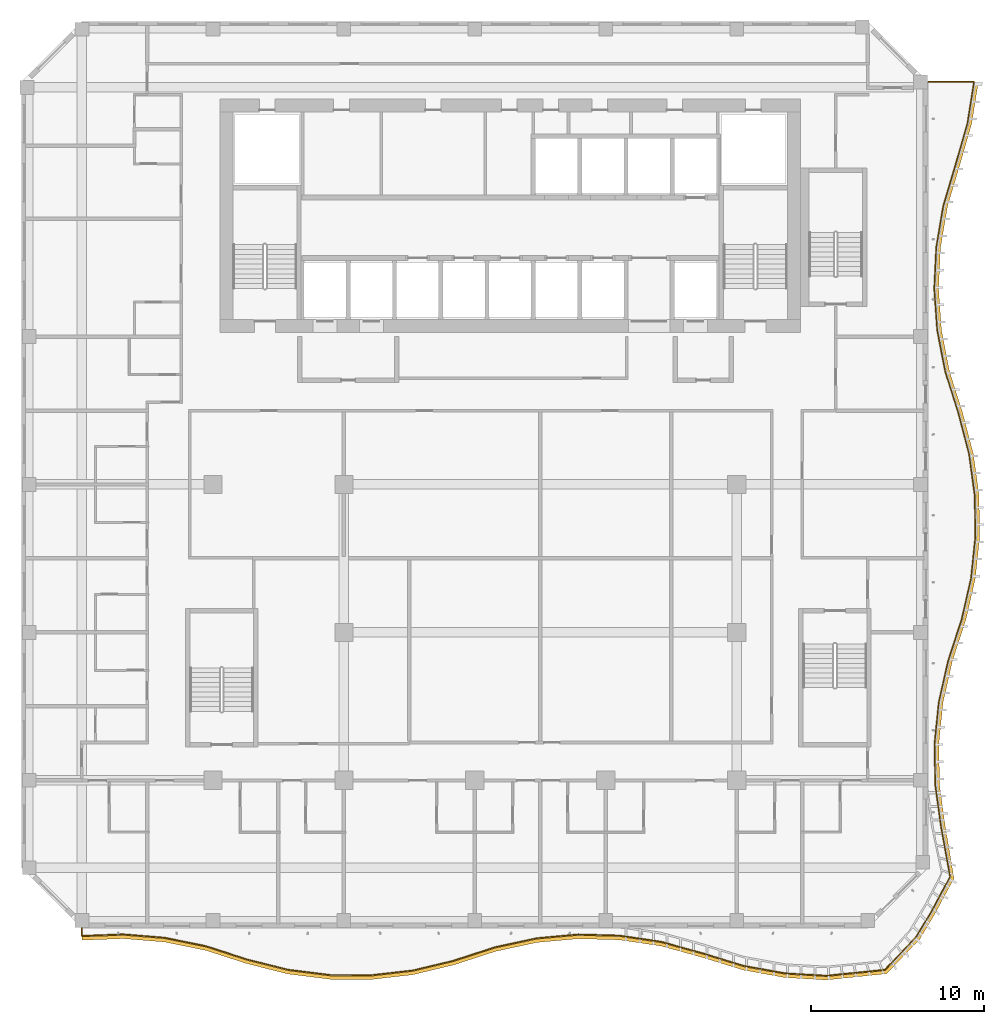
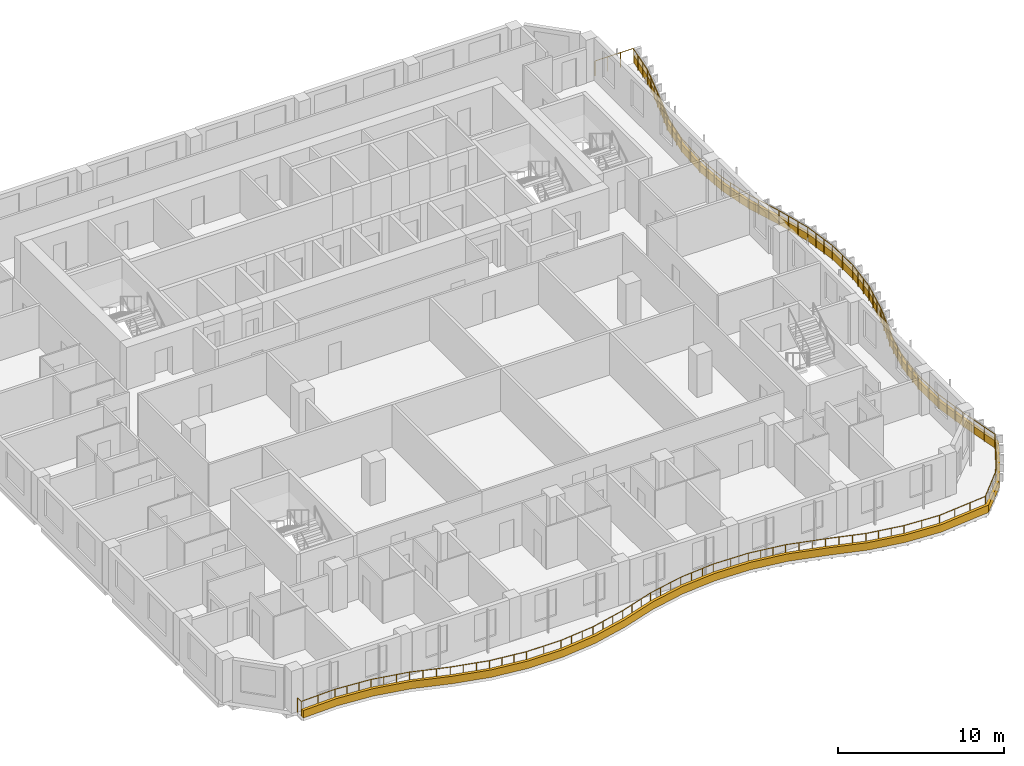
# One storey, part 16 of 21: 1 railing, 1 shading device.
"""IFC4 building model written with IfcOpenShell, lengths in metres."""

from ifc_helpers import new_model, si_unit, direction, frame, origin, origin_2d, place, context, subcontext, project, spatial, polyline, circle, outline, extrude, source, transform, mapped, material, layer, layer_set, type_object, element, save


model = new_model("IFC4")

# Units and contexts
model_context = context("Model", 3, precision=1e-05, world=origin(), true_north=direction((0.0, 1.0)))
body_context = subcontext(model_context, "Body", "Model", "MODEL_VIEW")
ifc_project = project(units=[si_unit("LENGTHUNIT", "METRE"), si_unit("AREAUNIT", "SQUARE_METRE"), si_unit("VOLUMEUNIT", "CUBIC_METRE"), si_unit("PLANEANGLEUNIT", "RADIAN"), si_unit("MASSUNIT", "GRAM", prefix="KILO")], contexts=[model_context])

# Site, building, storey
site_placement = place(None, origin())
site = spatial("IfcSite", under=ifc_project, at=site_placement, CompositionType="ELEMENT")
building_placement = place(site_placement, origin())
building = spatial("IfcBuilding", under=site, at=building_placement, Name="Kilnfold Tower and Market Hall", CompositionType="ELEMENT")
storey_placement = place(building_placement, frame((0.0, 0.0, 182.10009765625)))
storey = spatial("IfcBuildingStorey", under=building, at=storey_placement, Name="L43", CompositionType="ELEMENT", Elevation=182.10009765625)

# Railing
ifc_material_1 = material(Name="Stainless steel and laminated glass", Category="steel")
railing_type = type_object("IfcRailingType", Name="GUARD 1100", PredefinedType="GUARDRAIL", material=ifc_material_1)
railing_placement = place(storey_placement, frame((-23.75, -26.25, 0.0)))
element("IfcRailing", 1, at=railing_placement, inside=storey, type_object=railing_type, Name="Guard balcony L43", PredefinedType="GUARDRAIL", context=body_context, shape_type="SweptSolid", body=[
    extrude(circle(Radius=0.02490234375, at=origin_2d()), frame((0.0, 0.0, 1.0751953125), z_axis=(0.0, -1.0, 0.0), x_axis=(1.0, 0.0, 0.0)), (0.0, 0.0, 1.0), 0.4453125),
    extrude(circle(Radius=0.02490234375, at=origin_2d()), frame((0.0, -0.4453125, 1.0751953125), z_axis=(0.999285499224, 0.037795383853, 0.0), x_axis=(-0.037795383853, 0.999285499224, 0.0)), (0.0, 0.0, 1.0), 2.396484375),
    extrude(circle(Radius=0.02490234375, at=origin_2d()), frame((2.394775390625, -0.354736328125, 1.0751953125), z_axis=(0.996698894038, -0.081186911646, 0.0), x_axis=(0.081186911646, 0.996698894038, 0.0)), (0.0, 0.0, 1.0), 2.402587890625),
    extrude(circle(Radius=0.02490234375, at=origin_2d()), frame((4.78955078125, -0.5498046875, 1.0751953125), z_axis=(0.979777288655, -0.200091140821, 0.0), x_axis=(0.200091140821, 0.979777288655, 0.0)), (0.0, 0.0, 1.0), 2.44384765625),
    extrude(circle(Radius=0.02490234375, at=origin_2d()), frame((7.18408203125, -1.038818359375, 1.0751953125), z_axis=(0.951884070417, -0.306458343804, 0.0), x_axis=(0.306458343804, 0.951884070417, 0.0)), (0.0, 0.0, 1.0), 2.515869140625),
    extrude(circle(Radius=0.02490234375, at=origin_2d()), frame((9.578857421875, -1.809814453125, 1.0751953125), z_axis=(0.970078474346, -0.24279158472, 0.0), x_axis=(0.24279158472, 0.970078474346, 0.0)), (0.0, 0.0, 1.0), 2.46875),
    extrude(circle(Radius=0.02490234375, at=origin_2d()), frame((11.9736328125, -2.4091796875, 1.0751953125), z_axis=(0.992291877345, -0.123922678127, 0.0), x_axis=(0.123922678127, 0.992291877345, 0.0)), (0.0, 0.0, 1.0), 2.413330078125),
    extrude(circle(Radius=0.02490234375, at=origin_2d()), frame((14.368408203125, -2.708251953125, 1.0751953125), z_axis=(0.999987523161, -0.004995350049, 0.0), x_axis=(0.004995350049, 0.999987523161, 0.0)), (0.0, 0.0, 1.0), 2.394775390625),
    extrude(circle(Radius=0.02490234375, at=origin_2d()), frame((16.76318359375, -2.72021484375, 1.0751953125), z_axis=(0.993475745503, 0.114043601737, 0.0), x_axis=(-0.114043601737, 0.993475745503, 0.0)), (0.0, 0.0, 1.0), 2.410400390625),
    extrude(circle(Radius=0.02490234375, at=origin_2d()), frame((19.157958984375, -2.4453125, 1.0751953125), z_axis=(0.972475433643, 0.233005431185, 0.0), x_axis=(-0.233005431185, 0.972475433643, 0.0)), (0.0, 0.0, 1.0), 2.46240234375),
    extrude(circle(Radius=0.02490234375, at=origin_2d()), frame((21.552490234375, -1.87158203125, 1.0751953125), z_axis=(0.951041192838, 0.309064151149, 0.0), x_axis=(-0.309064151149, 0.951041192838, 0.0)), (0.0, 0.0, 1.0), 2.518310546875),
    extrude(circle(Radius=0.02490234375, at=origin_2d()), frame((23.947509765625, -1.09326171875, 1.0751953125), z_axis=(0.977694334529, 0.210032826555, 0.0), x_axis=(-0.210032826555, 0.977694334529, 0.0)), (0.0, 0.0, 1.0), 2.44921875),
    extrude(circle(Radius=0.02490234375, at=origin_2d()), frame((26.342041015625, -0.578857421875, 1.0751953125), z_axis=(0.995854001632, 0.090965968545, 0.0), x_axis=(-0.090965968545, 0.995854001632, 0.0)), (0.0, 0.0, 1.0), 2.40478515625),
    extrude(circle(Radius=0.02490234375, at=origin_2d()), frame((28.73681640625, -0.360107421875, 1.0751953125), z_axis=(0.999610087106, -0.027922638788, 0.0), x_axis=(0.027922638788, 0.999610087106, 0.0)), (0.0, 0.0, 1.0), 2.395751953125),
    extrude(circle(Radius=0.02490234375, at=origin_2d()), frame((31.131591796875, -0.427001953125, 1.0751953125), z_axis=(0.989162274279, -0.146826411597, 0.0), x_axis=(0.146826411597, 0.989162274279, 0.0)), (0.0, 0.0, 1.0), 2.4208984375),
    extrude(circle(Radius=0.02490234375, at=origin_2d()), frame((33.5263671875, -0.782470703125, 1.0751953125), z_axis=(0.964041254031, -0.265752630329, 0.0), x_axis=(0.265752630329, 0.964041254031, 0.0)), (0.0, 0.0, 1.0), 2.484130859375),
    extrude(circle(Radius=0.02490234375, at=origin_2d()), frame((35.921142578125, -1.442626953125, 1.0751953125), z_axis=(0.95578322222, -0.294072154619, 0.0), x_axis=(0.294072154619, 0.95578322222, 0.0)), (0.0, 0.0, 1.0), 2.505615234375),
    extrude(circle(Radius=0.02490234375, at=origin_2d()), frame((38.31591796875, -2.179443359375, 1.0751953125), z_axis=(0.984191021013, -0.177110231657, 0.0), x_axis=(0.177110231657, 0.984191021013, 0.0)), (0.0, 0.0, 1.0), 2.43310546875),
    extrude(circle(Radius=0.02490234375, at=origin_2d()), frame((40.71044921875, -2.6103515625, 1.0751953125), z_axis=(0.998304074766, -0.058214897621, 0.0), x_axis=(0.058214897621, 0.998304074766, 0.0)), (0.0, 0.0, 1.0), 2.39892578125),
    extrude(circle(Radius=0.02490234375, at=origin_2d()), frame((43.105224609375, -2.75, 1.0751953125), z_axis=(0.994895073816, 0.100914776402, 0.0), x_axis=(-0.100914776402, 0.994895073816, 0.0)), (0.0, 0.0, 1.0), 3.40869140625),
    extrude(circle(Radius=0.02490234375, at=origin_2d()), frame((46.49658203125, -2.406005859375, 1.0751953125), z_axis=(0.687903209609, 0.725802434696, 0.0), x_axis=(-0.725802434696, 0.687903209609, 0.0)), (0.0, 0.0, 1.0), 2.647705078125),
    extrude(circle(Radius=0.02490234375, at=origin_2d()), frame((48.31787109375, -0.484375, 1.0751953125), z_axis=(0.514179076421, 0.857682853606, 0.0), x_axis=(-0.857682853606, 0.514179076421, 0.0)), (0.0, 0.0, 1.0), 1.70068359375),
    extrude(circle(Radius=0.02490234375, at=origin_2d()), frame((49.1923828125, 0.974365234375, 1.0751953125), z_axis=(0.473080286495, 0.88101932018, 0.0), x_axis=(-0.88101932018, 0.473080286495, 0.0)), (0.0, 0.0, 1.0), 2.271240234375),
    extrude(circle(Radius=0.02490234375, at=origin_2d()), frame((50.266845703125, 2.975341796875, 1.0751953125), z_axis=(-0.177914965773, 0.98404586527, 0.0), x_axis=(-0.98404586527, -0.177914965773, 0.0)), (0.0, 0.0, 1.0), 2.966796875),
    extrude(circle(Radius=0.02490234375, at=origin_2d()), frame((49.739013671875, 5.894775390625, 1.0751953125), z_axis=(-0.136343479857, 0.990661625128, 0.0), x_axis=(-0.990661625128, -0.136343479857, 0.0)), (0.0, 0.0, 1.0), 2.417236328125),
    extrude(circle(Radius=0.02490234375, at=origin_2d()), frame((49.409423828125, 8.28955078125, 1.0751953125), z_axis=(-0.017330186539, 0.99984982104, 0.0), x_axis=(-0.99984982104, -0.017330186539, 0.0)), (0.0, 0.0, 1.0), 2.394775390625),
    extrude(circle(Radius=0.02490234375, at=origin_2d()), frame((49.367919921875, 10.68408203125, 1.0751953125), z_axis=(0.101521881914, 0.994833306385, 0.0), x_axis=(-0.994833306385, 0.101521881914, 0.0)), (0.0, 0.0, 1.0), 2.4072265625),
    extrude(circle(Radius=0.02490234375, at=origin_2d()), frame((49.6123046875, 13.078857421875, 1.0751953125), z_axis=(0.220456200603, 0.975396874926, 0.0), x_axis=(-0.975396874926, 0.220456200603, 0.0)), (0.0, 0.0, 1.0), 2.455078125),
    extrude(circle(Radius=0.02490234375, at=origin_2d()), frame((50.153564453125, 15.4736328125, 1.0751953125), z_axis=(0.310231980147, 0.950660885118, 0.0), x_axis=(-0.950660885118, 0.310231980147, 0.0)), (0.0, 0.0, 1.0), 2.51904296875),
    extrude(circle(Radius=0.02490234375, at=origin_2d()), frame((50.93505859375, 17.868408203125, 1.0751953125), z_axis=(0.222441554451, 0.974946026636, 0.0), x_axis=(-0.974946026636, 0.222441554451, 0.0)), (0.0, 0.0, 1.0), 2.456298828125),
    extrude(circle(Radius=0.02490234375, at=origin_2d()), frame((51.4814453125, 20.26318359375, 1.0751953125), z_axis=(0.103428446803, 0.994636896758, 0.0), x_axis=(-0.994636896758, 0.103428446803, 0.0)), (0.0, 0.0, 1.0), 2.40771484375),
    extrude(circle(Radius=0.02490234375, at=origin_2d()), frame((51.73046875, 22.657958984375, 1.0751953125), z_axis=(-0.015393771191, 0.999881508884, 0.0), x_axis=(-0.999881508884, -0.015393771191, 0.0)), (0.0, 0.0, 1.0), 2.394775390625),
    extrude(circle(Radius=0.02490234375, at=origin_2d()), frame((51.693603515625, 25.052490234375, 1.0751953125), z_axis=(-0.134446048726, 0.9909209151, 0.0), x_axis=(-0.9909209151, -0.134446048726, 0.0)), (0.0, 0.0, 1.0), 2.4169921875),
    extrude(circle(Radius=0.02490234375, at=origin_2d()), frame((51.36865234375, 27.447509765625, 1.0751953125), z_axis=(-0.253381367765, 0.967366467513, 0.0), x_axis=(-0.967366467513, -0.253381367765, 0.0)), (0.0, 0.0, 1.0), 2.475341796875),
    extrude(circle(Radius=0.02490234375, at=origin_2d()), frame((50.741455078125, 29.842041015625, 1.0751953125), z_axis=(-0.301875510226, 0.953347353448, 0.0), x_axis=(-0.953347353448, -0.301875510226, 0.0)), (0.0, 0.0, 1.0), 2.511962890625),
    extrude(circle(Radius=0.02490234375, at=origin_2d()), frame((49.983154296875, 32.23681640625, 1.0751953125), z_axis=(-0.189586154087, 0.981864089464, 0.0), x_axis=(-0.981864089464, -0.189586154087, 0.0)), (0.0, 0.0, 1.0), 2.43896484375),
    extrude(circle(Radius=0.02490234375, at=origin_2d()), frame((49.520751953125, 34.631591796875, 1.0751953125), z_axis=(-0.070574930945, 0.997506480742, 0.0), x_axis=(-0.997506480742, -0.070574930945, 0.0)), (0.0, 0.0, 1.0), 2.40087890625),
    extrude(circle(Radius=0.02490234375, at=origin_2d()), frame((49.351318359375, 37.0263671875, 1.0751953125), z_axis=(0.048266647613, 0.998834486153, 0.0), x_axis=(-0.998834486153, 0.048266647613, 0.0)), (0.0, 0.0, 1.0), 2.3974609375),
    extrude(circle(Radius=0.02490234375, at=origin_2d()), frame((49.467041015625, 39.421142578125, 1.0751953125), z_axis=(0.167250644967, 0.985914408941, 0.0), x_axis=(-0.985914408941, 0.167250644967, 0.0)), (0.0, 0.0, 1.0), 2.428955078125),
    extrude(circle(Radius=0.02490234375, at=origin_2d()), frame((49.873291015625, 41.81591796875, 1.0751953125), z_axis=(0.285967241733, 0.958239394231, 0.0), x_axis=(-0.958239394231, 0.285967241733, 0.0)), (0.0, 0.0, 1.0), 2.498779296875),
    extrude(circle(Radius=0.02490234375, at=origin_2d()), frame((50.587890625, 44.21044921875, 1.0751953125), z_axis=(0.275665835202, 0.961253529149, 0.0), x_axis=(-0.961253529149, 0.275665835202, 0.0)), (0.0, 0.0, 1.0), 2.4912109375),
    extrude(circle(Radius=0.02490234375, at=origin_2d()), frame((51.274658203125, 46.605224609375, 1.0751953125), z_axis=(0.156769103124, 0.987635281015, 0.0), x_axis=(-0.987635281015, 0.156769103124, 0.0)), (0.0, 0.0, 1.0), 2.4248046875),
    extrude(circle(Radius=0.02490234375, at=origin_2d()), frame((51.65478515625, 49.0, 1.0751953125), z_axis=(-1.0, 0.0, 0.0), x_axis=(0.0, -1.0, 0.0)), (0.0, 0.0, 1.0), 2.65478515625),
    extrude(circle(Radius=0.02490234375, at=origin_2d()), origin(), (0.0, 0.0, 1.0), 1.050048828125),
    extrude(circle(Radius=0.02490234375, at=origin_2d()), frame((0.0, -0.4453125, 0.0)), (0.0, 0.0, 1.0), 1.050048828125),
    extrude(circle(Radius=0.02490234375, at=origin_2d()), frame((1.197265625, -0.39990234375, 0.0)), (0.0, 0.0, 1.0), 1.050048828125),
    extrude(circle(Radius=0.02490234375, at=origin_2d()), frame((2.394775390625, -0.354736328125, 0.0)), (0.0, 0.0, 1.0), 1.050048828125),
    extrude(circle(Radius=0.02490234375, at=origin_2d()), frame((3.193115234375, -0.419677734375, 0.0)), (0.0, 0.0, 1.0), 1.050048828125),
    extrude(circle(Radius=0.02490234375, at=origin_2d()), frame((3.9912109375, -0.48486328125, 0.0)), (0.0, 0.0, 1.0), 1.050048828125),
    extrude(circle(Radius=0.02490234375, at=origin_2d()), frame((4.78955078125, -0.5498046875, 0.0)), (0.0, 0.0, 1.0), 1.050048828125),
    extrude(circle(Radius=0.02490234375, at=origin_2d()), frame((5.587646484375, -0.712890625, 0.0)), (0.0, 0.0, 1.0), 1.050048828125),
    extrude(circle(Radius=0.02490234375, at=origin_2d()), frame((6.385986328125, -0.875732421875, 0.0)), (0.0, 0.0, 1.0), 1.050048828125),
    extrude(circle(Radius=0.02490234375, at=origin_2d()), frame((7.18408203125, -1.038818359375, 0.0)), (0.0, 0.0, 1.0), 1.050048828125),
    extrude(circle(Radius=0.02490234375, at=origin_2d()), frame((7.982421875, -1.2958984375, 0.0)), (0.0, 0.0, 1.0), 1.050048828125),
    extrude(circle(Radius=0.02490234375, at=origin_2d()), frame((8.780517578125, -1.552734375, 0.0)), (0.0, 0.0, 1.0), 1.050048828125),
    extrude(circle(Radius=0.02490234375, at=origin_2d()), frame((9.578857421875, -1.809814453125, 0.0)), (0.0, 0.0, 1.0), 1.050048828125),
    extrude(circle(Radius=0.02490234375, at=origin_2d()), frame((10.377197265625, -2.009521484375, 0.0)), (0.0, 0.0, 1.0), 1.050048828125),
    extrude(circle(Radius=0.02490234375, at=origin_2d()), frame((11.17529296875, -2.20947265625, 0.0)), (0.0, 0.0, 1.0), 1.050048828125),
    extrude(circle(Radius=0.02490234375, at=origin_2d()), frame((11.9736328125, -2.4091796875, 0.0)), (0.0, 0.0, 1.0), 1.050048828125),
    extrude(circle(Radius=0.02490234375, at=origin_2d()), frame((12.77197265625, -2.5087890625, 0.0)), (0.0, 0.0, 1.0), 1.050048828125),
    extrude(circle(Radius=0.02490234375, at=origin_2d()), frame((13.570068359375, -2.608642578125, 0.0)), (0.0, 0.0, 1.0), 1.050048828125),
    extrude(circle(Radius=0.02490234375, at=origin_2d()), frame((14.368408203125, -2.708251953125, 0.0)), (0.0, 0.0, 1.0), 1.050048828125),
    extrude(circle(Radius=0.02490234375, at=origin_2d()), frame((15.56591796875, -2.71435546875, 0.0)), (0.0, 0.0, 1.0), 1.050048828125),
    extrude(circle(Radius=0.02490234375, at=origin_2d()), frame((16.76318359375, -2.72021484375, 0.0)), (0.0, 0.0, 1.0), 1.050048828125),
    extrude(circle(Radius=0.02490234375, at=origin_2d()), frame((17.5615234375, -2.628662109375, 0.0)), (0.0, 0.0, 1.0), 1.050048828125),
    extrude(circle(Radius=0.02490234375, at=origin_2d()), frame((18.359619140625, -2.536865234375, 0.0)), (0.0, 0.0, 1.0), 1.050048828125),
    extrude(circle(Radius=0.02490234375, at=origin_2d()), frame((19.157958984375, -2.4453125, 0.0)), (0.0, 0.0, 1.0), 1.050048828125),
    extrude(circle(Radius=0.02490234375, at=origin_2d()), frame((19.9560546875, -2.254150390625, 0.0)), (0.0, 0.0, 1.0), 1.050048828125),
    extrude(circle(Radius=0.02490234375, at=origin_2d()), frame((20.75439453125, -2.062744140625, 0.0)), (0.0, 0.0, 1.0), 1.050048828125),
    extrude(circle(Radius=0.02490234375, at=origin_2d()), frame((21.552490234375, -1.87158203125, 0.0)), (0.0, 0.0, 1.0), 1.050048828125),
    extrude(circle(Radius=0.02490234375, at=origin_2d()), frame((22.350830078125, -1.612060546875, 0.0)), (0.0, 0.0, 1.0), 1.050048828125),
    extrude(circle(Radius=0.02490234375, at=origin_2d()), frame((23.149169921875, -1.352783203125, 0.0)), (0.0, 0.0, 1.0), 1.050048828125),
    extrude(circle(Radius=0.02490234375, at=origin_2d()), frame((23.947509765625, -1.09326171875, 0.0)), (0.0, 0.0, 1.0), 1.050048828125),
    extrude(circle(Radius=0.02490234375, at=origin_2d()), frame((24.74560546875, -0.921875, 0.0)), (0.0, 0.0, 1.0), 1.050048828125),
    extrude(circle(Radius=0.02490234375, at=origin_2d()), frame((25.5439453125, -0.750244140625, 0.0)), (0.0, 0.0, 1.0), 1.050048828125),
    extrude(circle(Radius=0.02490234375, at=origin_2d()), frame((26.342041015625, -0.578857421875, 0.0)), (0.0, 0.0, 1.0), 1.050048828125),
    extrude(circle(Radius=0.02490234375, at=origin_2d()), frame((27.140380859375, -0.505859375, 0.0)), (0.0, 0.0, 1.0), 1.050048828125),
    extrude(circle(Radius=0.02490234375, at=origin_2d()), frame((27.9384765625, -0.43310546875, 0.0)), (0.0, 0.0, 1.0), 1.050048828125),
    extrude(circle(Radius=0.02490234375, at=origin_2d()), frame((28.73681640625, -0.360107421875, 0.0)), (0.0, 0.0, 1.0), 1.050048828125),
    extrude(circle(Radius=0.02490234375, at=origin_2d()), frame((29.93408203125, -0.3935546875, 0.0)), (0.0, 0.0, 1.0), 1.050048828125),
    extrude(circle(Radius=0.02490234375, at=origin_2d()), frame((31.131591796875, -0.427001953125, 0.0)), (0.0, 0.0, 1.0), 1.050048828125),
    extrude(circle(Radius=0.02490234375, at=origin_2d()), frame((31.929931640625, -0.54541015625, 0.0)), (0.0, 0.0, 1.0), 1.050048828125),
    extrude(circle(Radius=0.02490234375, at=origin_2d()), frame((32.72802734375, -0.6640625, 0.0)), (0.0, 0.0, 1.0), 1.050048828125),
    extrude(circle(Radius=0.02490234375, at=origin_2d()), frame((33.5263671875, -0.782470703125, 0.0)), (0.0, 0.0, 1.0), 1.050048828125),
    extrude(circle(Radius=0.02490234375, at=origin_2d()), frame((34.32470703125, -1.00244140625, 0.0)), (0.0, 0.0, 1.0), 1.050048828125),
    extrude(circle(Radius=0.02490234375, at=origin_2d()), frame((35.122802734375, -1.22265625, 0.0)), (0.0, 0.0, 1.0), 1.050048828125),
    extrude(circle(Radius=0.02490234375, at=origin_2d()), frame((35.921142578125, -1.442626953125, 0.0)), (0.0, 0.0, 1.0), 1.050048828125),
    extrude(circle(Radius=0.02490234375, at=origin_2d()), frame((36.719482421875, -1.688232421875, 0.0)), (0.0, 0.0, 1.0), 1.050048828125),
    extrude(circle(Radius=0.02490234375, at=origin_2d()), frame((37.517578125, -1.933837890625, 0.0)), (0.0, 0.0, 1.0), 1.050048828125),
    extrude(circle(Radius=0.02490234375, at=origin_2d()), frame((38.31591796875, -2.179443359375, 0.0)), (0.0, 0.0, 1.0), 1.050048828125),
    extrude(circle(Radius=0.02490234375, at=origin_2d()), frame((39.114013671875, -2.322998046875, 0.0)), (0.0, 0.0, 1.0), 1.050048828125),
    extrude(circle(Radius=0.02490234375, at=origin_2d()), frame((39.912353515625, -2.466796875, 0.0)), (0.0, 0.0, 1.0), 1.050048828125),
    extrude(circle(Radius=0.02490234375, at=origin_2d()), frame((40.71044921875, -2.6103515625, 0.0)), (0.0, 0.0, 1.0), 1.050048828125),
    extrude(circle(Radius=0.02490234375, at=origin_2d()), frame((41.90771484375, -2.68017578125, 0.0)), (0.0, 0.0, 1.0), 1.050048828125),
    extrude(circle(Radius=0.02490234375, at=origin_2d()), frame((43.105224609375, -2.75, 0.0)), (0.0, 0.0, 1.0), 1.050048828125),
    extrude(circle(Radius=0.02490234375, at=origin_2d()), frame((44.235595703125, -2.63525390625, 0.0)), (0.0, 0.0, 1.0), 1.050048828125),
    extrude(circle(Radius=0.02490234375, at=origin_2d()), frame((45.3662109375, -2.520751953125, 0.0)), (0.0, 0.0, 1.0), 1.050048828125),
    extrude(circle(Radius=0.02490234375, at=origin_2d()), frame((46.49658203125, -2.406005859375, 0.0)), (0.0, 0.0, 1.0), 1.050048828125),
    extrude(circle(Radius=0.02490234375, at=origin_2d()), frame((47.103759765625, -1.765380859375, 0.0)), (0.0, 0.0, 1.0), 1.050048828125),
    extrude(circle(Radius=0.02490234375, at=origin_2d()), frame((47.710693359375, -1.125, 0.0)), (0.0, 0.0, 1.0), 1.050048828125),
    extrude(circle(Radius=0.02490234375, at=origin_2d()), frame((48.31787109375, -0.484375, 0.0)), (0.0, 0.0, 1.0), 1.050048828125),
    extrude(circle(Radius=0.02490234375, at=origin_2d()), frame((48.755126953125, 0.2451171875, 0.0)), (0.0, 0.0, 1.0), 1.050048828125),
    extrude(circle(Radius=0.02490234375, at=origin_2d()), frame((49.1923828125, 0.974365234375, 0.0)), (0.0, 0.0, 1.0), 1.050048828125),
    extrude(circle(Radius=0.02490234375, at=origin_2d()), frame((49.7294921875, 1.974853515625, 0.0)), (0.0, 0.0, 1.0), 1.050048828125),
    extrude(circle(Radius=0.02490234375, at=origin_2d()), frame((50.266845703125, 2.975341796875, 0.0)), (0.0, 0.0, 1.0), 1.050048828125),
    extrude(circle(Radius=0.02490234375, at=origin_2d()), frame((50.0908203125, 3.948486328125, 0.0)), (0.0, 0.0, 1.0), 1.050048828125),
    extrude(circle(Radius=0.02490234375, at=origin_2d()), frame((49.9150390625, 4.921630859375, 0.0)), (0.0, 0.0, 1.0), 1.050048828125),
    extrude(circle(Radius=0.02490234375, at=origin_2d()), frame((49.739013671875, 5.894775390625, 0.0)), (0.0, 0.0, 1.0), 1.050048828125),
    extrude(circle(Radius=0.02490234375, at=origin_2d()), frame((49.629150390625, 6.693115234375, 0.0)), (0.0, 0.0, 1.0), 1.050048828125),
    extrude(circle(Radius=0.02490234375, at=origin_2d()), frame((49.519287109375, 7.4912109375, 0.0)), (0.0, 0.0, 1.0), 1.050048828125),
    extrude(circle(Radius=0.02490234375, at=origin_2d()), frame((49.409423828125, 8.28955078125, 0.0)), (0.0, 0.0, 1.0), 1.050048828125),
    extrude(circle(Radius=0.02490234375, at=origin_2d()), frame((49.388671875, 9.48681640625, 0.0)), (0.0, 0.0, 1.0), 1.050048828125),
    extrude(circle(Radius=0.02490234375, at=origin_2d()), frame((49.367919921875, 10.68408203125, 0.0)), (0.0, 0.0, 1.0), 1.050048828125),
    extrude(circle(Radius=0.02490234375, at=origin_2d()), frame((49.449462890625, 11.482421875, 0.0)), (0.0, 0.0, 1.0), 1.050048828125),
    extrude(circle(Radius=0.02490234375, at=origin_2d()), frame((49.53076171875, 12.280517578125, 0.0)), (0.0, 0.0, 1.0), 1.050048828125),
    extrude(circle(Radius=0.02490234375, at=origin_2d()), frame((49.6123046875, 13.078857421875, 0.0)), (0.0, 0.0, 1.0), 1.050048828125),
    extrude(circle(Radius=0.02490234375, at=origin_2d()), frame((49.792724609375, 13.877197265625, 0.0)), (0.0, 0.0, 1.0), 1.050048828125),
    extrude(circle(Radius=0.02490234375, at=origin_2d()), frame((49.97314453125, 14.67529296875, 0.0)), (0.0, 0.0, 1.0), 1.050048828125),
    extrude(circle(Radius=0.02490234375, at=origin_2d()), frame((50.153564453125, 15.4736328125, 0.0)), (0.0, 0.0, 1.0), 1.050048828125),
    extrude(circle(Radius=0.02490234375, at=origin_2d()), frame((50.4140625, 16.27197265625, 0.0)), (0.0, 0.0, 1.0), 1.050048828125),
    extrude(circle(Radius=0.02490234375, at=origin_2d()), frame((50.674560546875, 17.070068359375, 0.0)), (0.0, 0.0, 1.0), 1.050048828125),
    extrude(circle(Radius=0.02490234375, at=origin_2d()), frame((50.93505859375, 17.868408203125, 0.0)), (0.0, 0.0, 1.0), 1.050048828125),
    extrude(circle(Radius=0.02490234375, at=origin_2d()), frame((51.1171875, 18.666748046875, 0.0)), (0.0, 0.0, 1.0), 1.050048828125),
    extrude(circle(Radius=0.02490234375, at=origin_2d()), frame((51.29931640625, 19.46484375, 0.0)), (0.0, 0.0, 1.0), 1.050048828125),
    extrude(circle(Radius=0.02490234375, at=origin_2d()), frame((51.4814453125, 20.26318359375, 0.0)), (0.0, 0.0, 1.0), 1.050048828125),
    extrude(circle(Radius=0.02490234375, at=origin_2d()), frame((51.564453125, 21.0615234375, 0.0)), (0.0, 0.0, 1.0), 1.050048828125),
    extrude(circle(Radius=0.02490234375, at=origin_2d()), frame((51.6474609375, 21.859619140625, 0.0)), (0.0, 0.0, 1.0), 1.050048828125),
    extrude(circle(Radius=0.02490234375, at=origin_2d()), frame((51.73046875, 22.657958984375, 0.0)), (0.0, 0.0, 1.0), 1.050048828125),
    extrude(circle(Radius=0.02490234375, at=origin_2d()), frame((51.7119140625, 23.855224609375, 0.0)), (0.0, 0.0, 1.0), 1.050048828125),
    extrude(circle(Radius=0.02490234375, at=origin_2d()), frame((51.693603515625, 25.052490234375, 0.0)), (0.0, 0.0, 1.0), 1.050048828125),
    extrude(circle(Radius=0.02490234375, at=origin_2d()), frame((51.585205078125, 25.850830078125, 0.0)), (0.0, 0.0, 1.0), 1.050048828125),
    extrude(circle(Radius=0.02490234375, at=origin_2d()), frame((51.47705078125, 26.649169921875, 0.0)), (0.0, 0.0, 1.0), 1.050048828125),
    extrude(circle(Radius=0.02490234375, at=origin_2d()), frame((51.36865234375, 27.447509765625, 0.0)), (0.0, 0.0, 1.0), 1.050048828125),
    extrude(circle(Radius=0.02490234375, at=origin_2d()), frame((51.15966796875, 28.24560546875, 0.0)), (0.0, 0.0, 1.0), 1.050048828125),
    extrude(circle(Radius=0.02490234375, at=origin_2d()), frame((50.950439453125, 29.0439453125, 0.0)), (0.0, 0.0, 1.0), 1.050048828125),
    extrude(circle(Radius=0.02490234375, at=origin_2d()), frame((50.741455078125, 29.842041015625, 0.0)), (0.0, 0.0, 1.0), 1.050048828125),
    extrude(circle(Radius=0.02490234375, at=origin_2d()), frame((50.48876953125, 30.640380859375, 0.0)), (0.0, 0.0, 1.0), 1.050048828125),
    extrude(circle(Radius=0.02490234375, at=origin_2d()), frame((50.23583984375, 31.4384765625, 0.0)), (0.0, 0.0, 1.0), 1.050048828125),
    extrude(circle(Radius=0.02490234375, at=origin_2d()), frame((49.983154296875, 32.23681640625, 0.0)), (0.0, 0.0, 1.0), 1.050048828125),
    extrude(circle(Radius=0.02490234375, at=origin_2d()), frame((49.8291015625, 33.03515625, 0.0)), (0.0, 0.0, 1.0), 1.050048828125),
    extrude(circle(Radius=0.02490234375, at=origin_2d()), frame((49.6748046875, 33.833251953125, 0.0)), (0.0, 0.0, 1.0), 1.050048828125),
    extrude(circle(Radius=0.02490234375, at=origin_2d()), frame((49.520751953125, 34.631591796875, 0.0)), (0.0, 0.0, 1.0), 1.050048828125),
    extrude(circle(Radius=0.02490234375, at=origin_2d()), frame((49.46435546875, 35.429931640625, 0.0)), (0.0, 0.0, 1.0), 1.050048828125),
    extrude(circle(Radius=0.02490234375, at=origin_2d()), frame((49.40771484375, 36.22802734375, 0.0)), (0.0, 0.0, 1.0), 1.050048828125),
    extrude(circle(Radius=0.02490234375, at=origin_2d()), frame((49.351318359375, 37.0263671875, 0.0)), (0.0, 0.0, 1.0), 1.050048828125),
    extrude(circle(Radius=0.02490234375, at=origin_2d()), frame((49.4091796875, 38.2236328125, 0.0)), (0.0, 0.0, 1.0), 1.050048828125),
    extrude(circle(Radius=0.02490234375, at=origin_2d()), frame((49.467041015625, 39.421142578125, 0.0)), (0.0, 0.0, 1.0), 1.050048828125),
    extrude(circle(Radius=0.02490234375, at=origin_2d()), frame((49.6025390625, 40.219482421875, 0.0)), (0.0, 0.0, 1.0), 1.050048828125),
    extrude(circle(Radius=0.02490234375, at=origin_2d()), frame((49.73779296875, 41.017578125, 0.0)), (0.0, 0.0, 1.0), 1.050048828125),
    extrude(circle(Radius=0.02490234375, at=origin_2d()), frame((49.873291015625, 41.81591796875, 0.0)), (0.0, 0.0, 1.0), 1.050048828125),
    extrude(circle(Radius=0.02490234375, at=origin_2d()), frame((50.111572265625, 42.614013671875, 0.0)), (0.0, 0.0, 1.0), 1.050048828125),
    extrude(circle(Radius=0.02490234375, at=origin_2d()), frame((50.349609375, 43.412353515625, 0.0)), (0.0, 0.0, 1.0), 1.050048828125),
    extrude(circle(Radius=0.02490234375, at=origin_2d()), frame((50.587890625, 44.21044921875, 0.0)), (0.0, 0.0, 1.0), 1.050048828125),
    extrude(circle(Radius=0.02490234375, at=origin_2d()), frame((50.81689453125, 45.0087890625, 0.0)), (0.0, 0.0, 1.0), 1.050048828125),
    extrude(circle(Radius=0.02490234375, at=origin_2d()), frame((51.045654296875, 45.806884765625, 0.0)), (0.0, 0.0, 1.0), 1.050048828125),
    extrude(circle(Radius=0.02490234375, at=origin_2d()), frame((51.274658203125, 46.605224609375, 0.0)), (0.0, 0.0, 1.0), 1.050048828125),
    extrude(circle(Radius=0.02490234375, at=origin_2d()), frame((51.4013671875, 47.403564453125, 0.0)), (0.0, 0.0, 1.0), 1.050048828125),
    extrude(circle(Radius=0.02490234375, at=origin_2d()), frame((51.528076171875, 48.20166015625, 0.0)), (0.0, 0.0, 1.0), 1.050048828125),
    extrude(circle(Radius=0.02490234375, at=origin_2d()), frame((51.65478515625, 49.0, 0.0)), (0.0, 0.0, 1.0), 1.050048828125),
    extrude(circle(Radius=0.02490234375, at=origin_2d()), frame((50.769775390625, 49.0, 0.0)), (0.0, 0.0, 1.0), 1.050048828125),
    extrude(circle(Radius=0.02490234375, at=origin_2d()), frame((49.885009765625, 49.0, 0.0)), (0.0, 0.0, 1.0), 1.050048828125),
    extrude(circle(Radius=0.02490234375, at=origin_2d()), frame((49.0, 49.0, 0.0)), (0.0, 0.0, 1.0), 1.050048828125),
])

# Shading device
ifc_material_2 = material(Name="Precast concrete C50/60", Category="concrete")
ifc_layer = layer(ifc_material_2, 0.550048828125)
ifc_layer_set = layer_set([ifc_layer], Name="Precast concrete C50/60")
shading_device_type = type_object("IfcShadingDeviceType", Name="BALCONY UPSTAND 550", PredefinedType="USERDEFINED", material=ifc_layer_set)
shared_shape = source(origin(), body_context, "Body", "SweptSolid", [
    extrude(outline(polyline([(-23.75, -26.9453125), (-21.355224609375, -26.854736328125), (-18.96044921875, -27.0498046875), (-16.56591796875, -27.538818359375), (-14.171142578125, -28.309814453125), (-11.7763671875, -28.9091796875), (-9.381591796875, -29.208251953125), (-6.98681640625, -29.22021484375), (-4.592041015625, -28.9453125), (-2.197509765625, -28.37158203125), (0.197509765625, -27.59326171875), (2.592041015625, -27.078857421875), (4.98681640625, -26.860107421875), (7.381591796875, -26.927001953125), (9.7763671875, -27.282470703125), (12.171142578125, -27.942626953125), (14.56591796875, -28.679443359375), (16.96044921875, -29.1103515625), (19.355224609375, -29.25), (22.84228515625, -28.886962890625), (24.74462890625, -26.9111328125), (25.619140625, -25.452392578125), (26.747802734375, -23.370361328125), (26.239013671875, -20.355224609375), (25.909423828125, -17.96044921875), (25.867919921875, -15.56591796875), (26.1123046875, -13.171142578125), (26.653564453125, -10.7763671875), (27.43505859375, -8.381591796875), (27.9814453125, -5.98681640625), (28.23046875, -3.592041015625), (28.193603515625, -1.197509765625), (27.86865234375, 1.197509765625), (27.241455078125, 3.592041015625), (26.483154296875, 5.98681640625), (26.020751953125, 8.381591796875), (25.851318359375, 10.7763671875), (25.967041015625, 13.171142578125), (26.373291015625, 15.56591796875), (27.087890625, 17.96044921875), (27.774658203125, 20.355224609375), (28.15478515625, 22.75), (27.95458984375, 22.75), (27.57470703125, 20.355224609375), (26.887939453125, 17.96044921875), (26.17333984375, 15.56591796875), (25.76708984375, 13.171142578125), (25.6513671875, 10.7763671875), (25.82080078125, 8.381591796875), (26.283203125, 5.98681640625), (27.04150390625, 3.592041015625), (27.668701171875, 1.197509765625), (27.993408203125, -1.197509765625), (28.030517578125, -3.592041015625), (27.781494140625, -5.98681640625), (27.235107421875, -8.381591796875), (26.45361328125, -10.7763671875), (25.912353515625, -13.171142578125), (25.667724609375, -15.56591796875), (25.70947265625, -17.96044921875), (26.0390625, -20.355224609375), (26.56298828125, -23.2939453125), (25.477783203125, -25.31103515625), (24.603271484375, -26.769775390625), (22.765869140625, -28.7021484375), (19.355224609375, -29.050048828125), (16.96044921875, -28.910400390625), (14.56591796875, -28.4794921875), (12.171142578125, -27.74267578125), (9.7763671875, -27.08251953125), (7.381591796875, -26.726806640625), (4.98681640625, -26.659912109375), (2.592041015625, -26.87890625), (0.197509765625, -27.393310546875), (-2.197509765625, -28.171630859375), (-4.592041015625, -28.745361328125), (-6.98681640625, -29.02001953125), (-9.381591796875, -29.00830078125), (-11.7763671875, -28.709228515625), (-14.171142578125, -28.10986328125), (-16.56591796875, -27.338623046875), (-18.96044921875, -26.849609375), (-21.355224609375, -26.65478515625), (-23.75, -26.745361328125), (-23.75, -26.9453125)])), origin(), (0.0, 0.0, 1.0), 0.5498046875),
])
shading_device_placement = place(storey_placement, origin())
element("IfcShadingDevice", 2, at=shading_device_placement, inside=storey, type_object=shading_device_type, Name="Balcony fascia L43", ObjectType="FASCIA", PredefinedType="USERDEFINED", context=body_context, shape_type="MappedRepresentation", body=[
    mapped(shared_shape, transform((0.0, 0.0, 0.0))),
])

save(model, "model.ifc")
